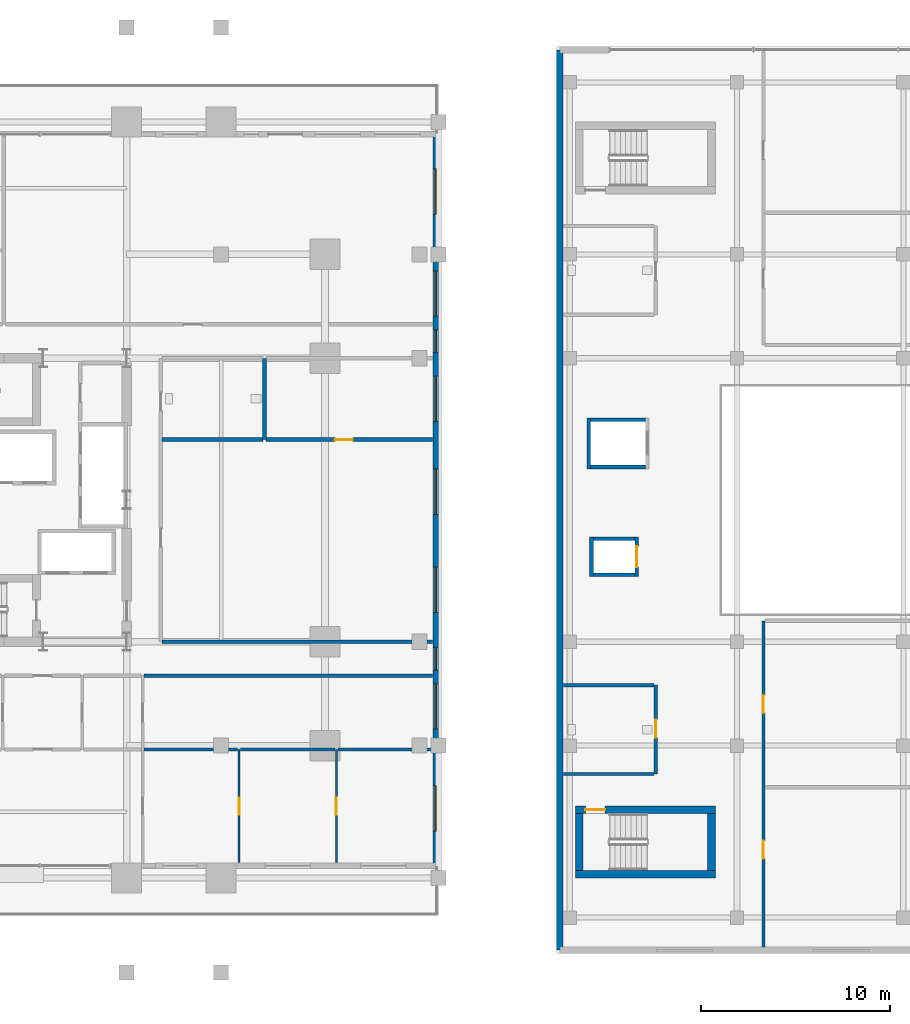
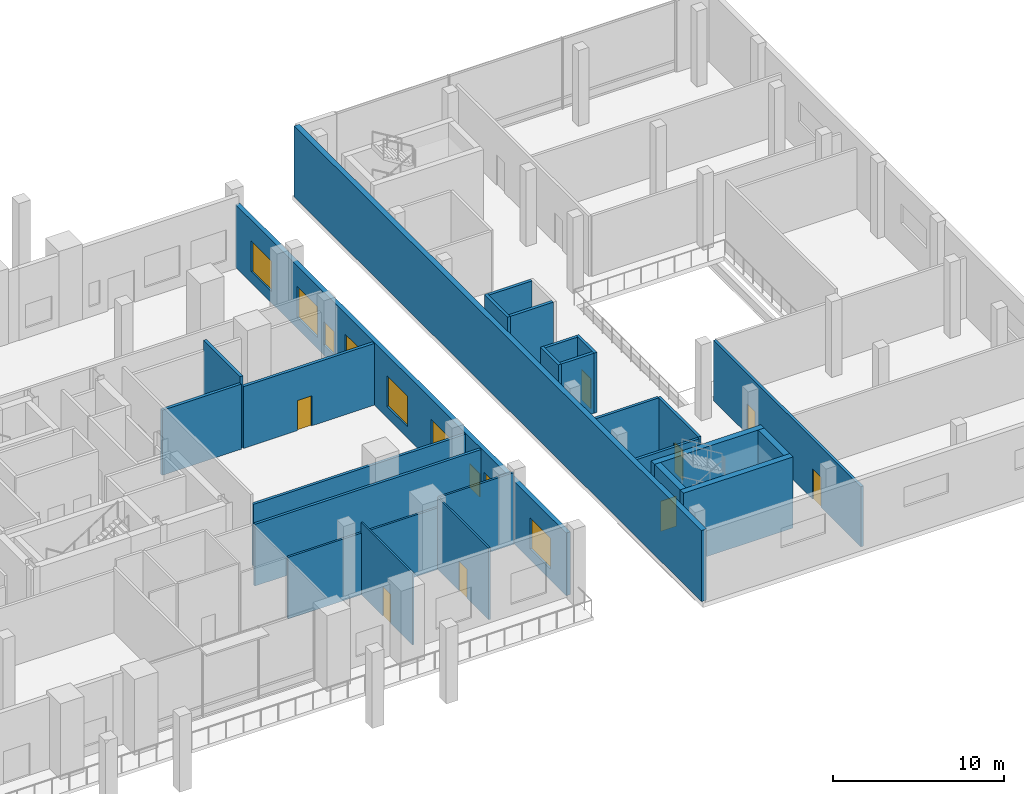
# One storey, part 13 of 22: 27 walls, 9 windows, 8 doors, 17 openings.
"""IFC4 building model written with IfcOpenShell, lengths in metres."""

from ifc_helpers import new_model, si_unit, direction, frame, frame_2d, origin, place, context, subcontext, project, spatial, rectangle, extrude, material, layer, layer_set, type_object, element, fill, save


model = new_model("IFC4")

# Units and contexts
model_context = context("Model", 3, precision=1e-05, world=origin(), true_north=direction((0.0, 1.0)))
body_context = subcontext(model_context, "Body", "Model", "MODEL_VIEW")
ifc_project = project(units=[si_unit("LENGTHUNIT", "METRE"), si_unit("AREAUNIT", "SQUARE_METRE"), si_unit("VOLUMEUNIT", "CUBIC_METRE"), si_unit("PLANEANGLEUNIT", "RADIAN"), si_unit("MASSUNIT", "GRAM", prefix="KILO")], contexts=[model_context])

# Site, building, storey
site_placement = place(None, origin())
site = spatial("IfcSite", under=ifc_project, at=site_placement, CompositionType="ELEMENT")
building_placement = place(site_placement, origin())
building = spatial("IfcBuilding", under=site, at=building_placement, Name="Barlavira Tower and Art Museum", CompositionType="ELEMENT")
storey_placement = place(building_placement, frame((0.0, 0.0, 16.800048828125)))
storey = spatial("IfcBuildingStorey", under=building, at=storey_placement, Name="L03", CompositionType="ELEMENT", Elevation=16.800048828125)

# Wall, opening, door
ifc_material_1 = material(Name="Gypsum acoustic stud partition", Category="gypsum")
ifc_layer_1 = layer(ifc_material_1, 0.1201171875, Name="Gypsum acoustic stud partition")
ifc_layer_set_1 = layer_set([ifc_layer_1], Name="Gypsum acoustic stud partition")
wall_type_1 = type_object("IfcWallType", Name="Apartment Internal Acoustic Partition 120", PredefinedType="PARTITIONING", material=ifc_layer_set_1)
wall_1_placement = place(storey_placement, frame((12.449951171875, -19.195068359375, 0.0), z_axis=(0.0, 0.0, 1.0), x_axis=(0.0, 1.0, 0.0)))
wall_1 = element("IfcWall", 1, at=wall_1_placement, inside=storey, type_object=wall_type_1, Name="L03 Partition Wall 14", PredefinedType="PARTITIONING", context=body_context, shape_type="SweptSolid", body=[
    extrude(rectangle(XDim=5.9951171875, YDim=0.1201171875, at=frame_2d((2.99755859375, 0.0))), origin(), (0.0, 0.0, 1.0), 5.119873046875),
])
opening_1_placement = place(wall_1_placement, frame((2.544921875, 0.0, 0.0)))
opening_1 = element("IfcOpeningElement", 2, at=opening_1_placement, cuts=wall_1, Name="Opening D-01", PredefinedType="OPENING", context=body_context, shape_type="SweptSolid", body=[
    extrude(rectangle(XDim=0.89990234375, YDim=2.10009765625, at=frame_2d((0.449951171875, 1.050048828125))), frame((0.0, 0.070068359375, 0.0), z_axis=(0.0, -1.0, 0.0), x_axis=(1.0, 0.0, 0.0)), (0.0, 0.0, 1.0), 0.14013671875),
])
ifc_material_2 = material(Name="Engineered coastal hardwood", Category="wood")
door_type_1 = type_object("IfcDoorType", Name="Internal Bedroom Timber Flush Door 900x2100", OperationType="NOTDEFINED", PredefinedType="DOOR", material=ifc_material_2)
door_1_placement = place(opening_1_placement, origin())
door_1 = element("IfcDoor", 3, at=door_1_placement, inside=storey, type_object=door_type_1, Name="Apartment P3-SE Bedroom 2 Door", OperationType="SINGLE_SWING_RIGHT", OverallHeight=2.10009765625, OverallWidth=0.89990234375, PredefinedType="DOOR", context=body_context, shape_type="SweptSolid", body=[
    extrude(rectangle(XDim=0.89990234375, YDim=2.10009765625, at=frame_2d((0.449951171875, 1.050048828125))), frame((0.0, 0.02490234375, 0.0), z_axis=(0.0, -1.0, 0.0), x_axis=(1.0, 0.0, 0.0)), (0.0, 0.0, 1.0), 0.050048828125),
])
fill(opening_1, door_1)

wall_2_placement = place(storey_placement, frame((17.60009765625, -19.195068359375, 0.0), z_axis=(0.0, 0.0, 1.0), x_axis=(0.0, 1.0, 0.0)))
wall_2 = element("IfcWall", 4, at=wall_2_placement, inside=storey, type_object=wall_type_1, Name="L03 Partition Wall 16", PredefinedType="PARTITIONING", context=body_context, shape_type="SweptSolid", body=[
    extrude(rectangle(XDim=5.9951171875, YDim=0.1201171875, at=frame_2d((2.99755859375, 0.0))), origin(), (0.0, 0.0, 1.0), 5.119873046875),
])
opening_2_placement = place(wall_2_placement, frame((2.544921875, 0.0, 0.0)))
opening_2 = element("IfcOpeningElement", 5, at=opening_2_placement, cuts=wall_2, Name="Opening D-01", PredefinedType="OPENING", context=body_context, shape_type="SweptSolid", body=[
    extrude(rectangle(XDim=0.89990234375, YDim=2.10009765625, at=frame_2d((0.449951171875, 1.050048828125))), frame((0.0, 0.070068359375, 0.0), z_axis=(0.0, -1.0, 0.0), x_axis=(1.0, 0.0, 0.0)), (0.0, 0.0, 1.0), 0.14013671875),
])
door_2_placement = place(opening_2_placement, origin())
door_2 = element("IfcDoor", 6, at=door_2_placement, inside=storey, type_object=door_type_1, Name="Apartment P3-SE Bedroom 3 Door", OperationType="SINGLE_SWING_LEFT", OverallHeight=2.10009765625, OverallWidth=0.89990234375, PredefinedType="DOOR", context=body_context, shape_type="SweptSolid", body=[
    extrude(rectangle(XDim=0.89990234375, YDim=2.10009765625, at=frame_2d((0.449951171875, 1.050048828125))), frame((0.0, 0.02490234375, 0.0), z_axis=(0.0, -1.0, 0.0), x_axis=(1.0, 0.0, 0.0)), (0.0, 0.0, 1.0), 0.050048828125),
])
fill(opening_2, door_2)

ifc_material_3 = material(Name="Autoclaved aerated concrete masonry", Category="masonry")
ifc_layer_2 = layer(ifc_material_3, 0.199951171875, Name="Autoclaved aerated concrete masonry")
ifc_layer_set_2 = layer_set([ifc_layer_2], Name="Autoclaved aerated concrete masonry")
wall_type_2 = type_object("IfcWallType", Name="Fire Compartment and Shaft Wall 200", PredefinedType="SOLIDWALL", material=ifc_layer_set_2)
wall_3_placement = place(storey_placement, frame((33.5, -4.050048828125, 0.0), z_axis=(0.0, 0.0, 1.0), x_axis=(0.0, 1.0, 0.0)))
wall_3 = element("IfcWall", 7, at=wall_3_placement, inside=storey, type_object=wall_type_2, Name="L03 Museum Lift ML1 Front Wall", PredefinedType="SOLIDWALL", context=body_context, shape_type="SweptSolid", body=[
    extrude(rectangle(XDim=2.10009765625, YDim=0.199951171875, at=frame_2d((1.050048828125, 0.0))), origin(), (0.0, 0.0, 1.0), 4.296875),
])
opening_3_placement = place(wall_3_placement, frame((0.5, 0.0, 0.0)))
opening_3 = element("IfcOpeningElement", 8, at=opening_3_placement, cuts=wall_3, Name="Opening LD-P", PredefinedType="OPENING", context=body_context, shape_type="SweptSolid", body=[
    extrude(rectangle(XDim=1.10009765625, YDim=2.14990234375, at=frame_2d((0.550048828125, 1.074951171875))), frame((0.0, 0.10986328125, 0.0), z_axis=(0.0, -1.0, 0.0), x_axis=(1.0, 0.0, 0.0)), (0.0, 0.0, 1.0), 0.219970703125),
])
ifc_material_4 = material(Name="Brushed stainless steel", Category="steel")
door_type_2 = type_object("IfcDoorType", Name="Passenger Lift Sliding Landing Door 1100x2150 FD60", OperationType="NOTDEFINED", PredefinedType="DOOR", material=ifc_material_4)
door_3_placement = place(opening_3_placement, origin())
door_3 = element("IfcDoor", 9, at=door_3_placement, inside=storey, type_object=door_type_2, Name="L03 Museum Lift ML1 Sliding Landing Door", OperationType="DOUBLE_DOOR_SLIDING", OverallHeight=2.14990234375, OverallWidth=1.10009765625, PredefinedType="DOOR", context=body_context, shape_type="SweptSolid", body=[
    extrude(rectangle(XDim=1.10009765625, YDim=2.14990234375, at=frame_2d((0.550048828125, 1.074951171875))), frame((0.0, 0.02490234375, 0.0), z_axis=(0.0, -1.0, 0.0), x_axis=(1.0, 0.0, 0.0)), (0.0, 0.0, 1.0), 0.050048828125),
])
fill(opening_3, door_3)

# Walls
wall_4_placement = place(storey_placement, frame((31.10009765625, -4.050048828125, 0.0), z_axis=(0.0, 0.0, 1.0), x_axis=(0.0, 1.0, 0.0)))
element("IfcWall", 10, at=wall_4_placement, inside=storey, type_object=wall_type_2, Name="L03 Museum Lift ML1 Back Wall", PredefinedType="SOLIDWALL", context=body_context, shape_type="SweptSolid", body=[
    extrude(rectangle(XDim=2.10009765625, YDim=0.199951171875, at=frame_2d((1.050048828125, 0.0))), origin(), (0.0, 0.0, 1.0), 4.296875),
])
for number, where, z_axis, x_axis, name in (
    (11, (31.199951171875, -3.949951171875, 0.0), (0.0, 0.0, 1.0), (1.0, 0.0, 0.0), "L03 Museum Lift ML1 South Wall"),
    (12, (31.199951171875, -2.050048828125, 0.0), (0.0, 0.0, 1.0), (1.0, 0.0, 0.0), "L03 Museum Lift ML1 North Wall"),
):
    element("IfcWall", number, at=place(storey_placement, frame(where, z_axis=z_axis, x_axis=x_axis)), inside=storey, type_object=wall_type_2, Name=name, PredefinedType="SOLIDWALL", context=body_context, shape_type="SweptSolid", body=[
        extrude(rectangle(XDim=2.199951171875, YDim=0.199951171875, at=frame_2d((1.10009765625, 0.0))), origin(), (0.0, 0.0, 1.0), 4.296875),
    ])
wall_5_placement = place(storey_placement, frame((30.949951171875, 1.64990234375, 0.0), z_axis=(0.0, 0.0, 1.0), x_axis=(0.0, 1.0, 0.0)))
element("IfcWall", 13, at=wall_5_placement, inside=storey, type_object=wall_type_2, Name="L03 Museum Lift MG1 Back Wall", PredefinedType="SOLIDWALL", context=body_context, shape_type="SweptSolid", body=[
    extrude(rectangle(XDim=2.7001953125, YDim=0.199951171875, at=frame_2d((1.35009765625, 0.0))), origin(), (0.0, 0.0, 1.0), 4.296875),
])
for number, where, z_axis, x_axis, name in (
    (14, (31.050048828125, 1.75, 0.0), (0.0, 0.0, 1.0), (1.0, 0.0, 0.0), "L03 Museum Lift MG1 South Wall"),
    (15, (31.050048828125, 4.25, 0.0), (0.0, 0.0, 1.0), (1.0, 0.0, 0.0), "L03 Museum Lift MG1 North Wall"),
):
    element("IfcWall", number, at=place(storey_placement, frame(where, z_axis=z_axis, x_axis=x_axis)), inside=storey, type_object=wall_type_2, Name=name, PredefinedType="SOLIDWALL", context=body_context, shape_type="SweptSolid", body=[
        extrude(rectangle(XDim=2.89990234375, YDim=0.199951171875, at=frame_2d((1.449951171875, 0.0))), origin(), (0.0, 0.0, 1.0), 4.296875),
    ])
wall_6_placement = place(storey_placement, frame((13.800048828125, 3.199951171875, 0.0), z_axis=(0.0, 0.0, 1.0), x_axis=(0.0, 1.0, 0.0)))
element("IfcWall", 16, at=wall_6_placement, inside=storey, type_object=wall_type_2, Name="L03 Partition Wall 15", PredefinedType="SOLIDWALL", context=body_context, shape_type="SweptSolid", body=[
    extrude(rectangle(XDim=4.300048828125, YDim=0.199951171875, at=frame_2d((2.14990234375, 0.0))), origin(), (0.0, 0.0, 1.0), 5.119873046875),
])
wall_7_placement = place(storey_placement, frame((8.3798828125, 3.199951171875, 0.0), z_axis=(0.0, 0.0, 1.0), x_axis=(1.0, 0.0, 0.0)))
element("IfcWall", 17, at=wall_7_placement, inside=storey, type_object=wall_type_2, Name="L03 Partition Wall 40", PredefinedType="SOLIDWALL", context=body_context, shape_type="SweptSolid", body=[
    extrude(rectangle(XDim=5.340087890625, YDim=0.199951171875, at=frame_2d((2.669921875, 0.0))), origin(), (0.0, 0.0, 1.0), 4.641845703125),
])

# Wall, opening, door
wall_8_placement = place(storey_placement, frame((13.8798828125, 3.199951171875, 0.0), z_axis=(0.0, 0.0, 1.0), x_axis=(1.0, 0.0, 0.0)))
wall_8 = element("IfcWall", 18, at=wall_8_placement, inside=storey, type_object=wall_type_2, Name="L03 Partition Wall 41", PredefinedType="SOLIDWALL", context=body_context, shape_type="SweptSolid", body=[
    extrude(rectangle(XDim=8.815185546875, YDim=0.199951171875, at=frame_2d((4.40771484375, 0.0))), origin(), (0.0, 0.0, 1.0), 4.409912109375),
])
opening_4_placement = place(wall_8_placement, frame((3.64501953125, 0.0, 0.0)))
opening_4 = element("IfcOpeningElement", 19, at=opening_4_placement, cuts=wall_8, Name="Opening FD-60", PredefinedType="OPENING", context=body_context, shape_type="SweptSolid", body=[
    extrude(rectangle(XDim=0.949951171875, YDim=2.14990234375, at=frame_2d((0.47509765625, 1.074951171875))), frame((0.0, 0.10986328125, 0.0), z_axis=(0.0, -1.0, 0.0), x_axis=(1.0, 0.0, 0.0)), (0.0, 0.0, 1.0), 0.219970703125),
])
door_type_3 = type_object("IfcDoorType", Name="Apartment Entrance and Riser Fire Door 950x2150 FD60S", OperationType="NOTDEFINED", PredefinedType="DOOR", material=ifc_material_4)
door_4_placement = place(opening_4_placement, origin())
door_4 = element("IfcDoor", 20, at=door_4_placement, inside=storey, type_object=door_type_3, Name="L03 Podium Amenity Store Door", OperationType="SINGLE_SWING_LEFT", OverallHeight=2.14990234375, OverallWidth=0.949951171875, PredefinedType="DOOR", context=body_context, shape_type="SweptSolid", body=[
    extrude(rectangle(XDim=0.949951171875, YDim=2.14990234375, at=frame_2d((0.47509765625, 1.074951171875))), frame((0.0, 0.02490234375, 0.0), z_axis=(0.0, -1.0, 0.0), x_axis=(1.0, 0.0, 0.0)), (0.0, 0.0, 1.0), 0.050048828125),
])
fill(opening_4, door_4)

ifc_layer_3 = layer(ifc_material_1, 0.179931640625, Name="Gypsum acoustic stud partition")
ifc_layer_set_3 = layer_set([ifc_layer_3], Name="Gypsum acoustic stud partition")
wall_type_3 = type_object("IfcWallType", Name="Inter-Tenancy Party Partition Wall 180", PredefinedType="PARTITIONING", material=ifc_layer_set_3)
wall_9_placement = place(storey_placement, frame((34.5, -14.5, 0.0), z_axis=(0.0, 0.0, 1.0), x_axis=(0.0, 1.0, 0.0)))
wall_9 = element("IfcWall", 21, at=wall_9_placement, inside=storey, type_object=wall_type_3, Name="L03 Partition Wall 17", PredefinedType="PARTITIONING", context=body_context, shape_type="SweptSolid", body=[
    extrude(rectangle(XDim=4.699951171875, YDim=0.179931640625, at=frame_2d((2.35009765625, 0.0))), origin(), (0.0, 0.0, 1.0), 4.296875),
])
opening_5_placement = place(wall_9_placement, frame((1.925048828125, 0.0, 0.0)))
opening_5 = element("IfcOpeningElement", 22, at=opening_5_placement, cuts=wall_9, Name="Opening FD-60", PredefinedType="OPENING", context=body_context, shape_type="SweptSolid", body=[
    extrude(rectangle(XDim=0.949951171875, YDim=2.14990234375, at=frame_2d((0.47509765625, 1.074951171875))), frame((0.0, 0.10009765625, 0.0), z_axis=(0.0, -1.0, 0.0), x_axis=(1.0, 0.0, 0.0)), (0.0, 0.0, 1.0), 0.199951171875),
])
door_5_placement = place(opening_5_placement, origin())
door_5 = element("IfcDoor", 23, at=door_5_placement, inside=storey, type_object=door_type_3, Name="L03 Museum Accessible Restroom Door", OperationType="SINGLE_SWING_LEFT", OverallHeight=2.14990234375, OverallWidth=0.949951171875, PredefinedType="DOOR", context=body_context, shape_type="SweptSolid", body=[
    extrude(rectangle(XDim=0.949951171875, YDim=2.14990234375, at=frame_2d((0.47509765625, 1.074951171875))), frame((0.0, 0.02490234375, 0.0), z_axis=(0.0, -1.0, 0.0), x_axis=(1.0, 0.0, 0.0)), (0.0, 0.0, 1.0), 0.050048828125),
])
fill(opening_5, door_5)

# Wall, openings, doors
wall_10_placement = place(storey_placement, frame((40.199951171875, -23.64501953125, 0.0), z_axis=(0.0, 0.0, 1.0), x_axis=(0.0, 1.0, 0.0)))
wall_10 = element("IfcWall", 24, at=wall_10_placement, inside=storey, type_object=wall_type_3, Name="L03 Partition Wall 19", PredefinedType="PARTITIONING", context=body_context, shape_type="SweptSolid", body=[
    extrude(rectangle(XDim=17.2451171875, YDim=0.179931640625, at=frame_2d((8.62255859375, 0.0))), origin(), (0.0, 0.0, 1.0), 4.296875),
])
opening_6_placement = place(wall_10_placement, frame((4.669921875, 0.0, 0.0)))
opening_6 = element("IfcOpeningElement", 25, at=opening_6_placement, cuts=wall_10, Name="Opening FD-60", PredefinedType="OPENING", context=body_context, shape_type="SweptSolid", body=[
    extrude(rectangle(XDim=0.949951171875, YDim=2.14990234375, at=frame_2d((0.47509765625, 1.074951171875))), frame((0.0, 0.10009765625, 0.0), z_axis=(0.0, -1.0, 0.0), x_axis=(1.0, 0.0, 0.0)), (0.0, 0.0, 1.0), 0.199951171875),
])
opening_7_placement = place(wall_10_placement, frame((12.3701171875, 0.0, 0.0)))
opening_7 = element("IfcOpeningElement", 26, at=opening_7_placement, cuts=wall_10, Name="Opening FD-60", PredefinedType="OPENING", context=body_context, shape_type="SweptSolid", body=[
    extrude(rectangle(XDim=0.949951171875, YDim=2.14990234375, at=frame_2d((0.47509765625, 1.074951171875))), frame((0.0, 0.10009765625, 0.0), z_axis=(0.0, -1.0, 0.0), x_axis=(1.0, 0.0, 0.0)), (0.0, 0.0, 1.0), 0.199951171875),
])
door_6_placement = place(opening_6_placement, origin())
door_6 = element("IfcDoor", 27, at=door_6_placement, inside=storey, type_object=door_type_3, Name="L03 Coastal Architecture Lecture Auditorium Door", OperationType="SINGLE_SWING_RIGHT", OverallHeight=2.14990234375, OverallWidth=0.949951171875, PredefinedType="DOOR", context=body_context, shape_type="SweptSolid", body=[
    extrude(rectangle(XDim=0.949951171875, YDim=2.14990234375, at=frame_2d((0.47509765625, 1.074951171875))), frame((0.0, 0.02490234375, 0.0), z_axis=(0.0, -1.0, 0.0), x_axis=(1.0, 0.0, 0.0)), (0.0, 0.0, 1.0), 0.050048828125),
])
fill(opening_6, door_6)
door_7_placement = place(opening_7_placement, origin())
door_7 = element("IfcDoor", 28, at=door_7_placement, inside=storey, type_object=door_type_3, Name="L03 South Sculpture Mezzanine Gallery Door", OperationType="SINGLE_SWING_LEFT", OverallHeight=2.14990234375, OverallWidth=0.949951171875, PredefinedType="DOOR", context=body_context, shape_type="SweptSolid", body=[
    extrude(rectangle(XDim=0.949951171875, YDim=2.14990234375, at=frame_2d((0.47509765625, 1.074951171875))), frame((0.0, 0.02490234375, 0.0), z_axis=(0.0, -1.0, 0.0), x_axis=(1.0, 0.0, 0.0)), (0.0, 0.0, 1.0), 0.050048828125),
])
fill(opening_7, door_7)

# Walls
wall_11_placement = place(storey_placement, frame((29.60498046875, -14.5, 0.0), z_axis=(0.0, 0.0, 1.0), x_axis=(1.0, 0.0, 0.0)))
element("IfcWall", 29, at=wall_11_placement, inside=storey, type_object=wall_type_3, Name="L03 Partition Wall 23", PredefinedType="PARTITIONING", context=body_context, shape_type="SweptSolid", body=[
    extrude(rectangle(XDim=4.81494140625, YDim=0.179931640625, at=frame_2d((2.407470703125, 0.0))), origin(), (0.0, 0.0, 1.0), 4.2138671875),
])
wall_12_placement = place(storey_placement, frame((29.60498046875, -9.800048828125, 0.0), z_axis=(0.0, 0.0, 1.0), x_axis=(1.0, 0.0, 0.0)))
element("IfcWall", 30, at=wall_12_placement, inside=storey, type_object=wall_type_3, Name="L03 Partition Wall 30", PredefinedType="PARTITIONING", context=body_context, shape_type="SweptSolid", body=[
    extrude(rectangle(XDim=4.81494140625, YDim=0.179931640625, at=frame_2d((2.407470703125, 0.0))), origin(), (0.0, 0.0, 1.0), 4.296875),
])
wall_13_placement = place(storey_placement, frame((7.429931640625, -9.300048828125, 0.0), z_axis=(0.0, 0.0, 1.0), x_axis=(1.0, 0.0, 0.0)))
element("IfcWall", 31, at=wall_13_placement, inside=storey, type_object=wall_type_3, Name="L03 Partition Wall 35", PredefinedType="PARTITIONING", context=body_context, shape_type="SweptSolid", body=[
    extrude(rectangle(XDim=15.26513671875, YDim=0.179931640625, at=frame_2d((7.632568359375, 0.0))), origin(), (0.0, 0.0, 1.0), 4.409912109375),
])
wall_14_placement = place(storey_placement, frame((8.3798828125, -7.5, 0.0), z_axis=(0.0, 0.0, 1.0), x_axis=(1.0, 0.0, 0.0)))
element("IfcWall", 32, at=wall_14_placement, inside=storey, type_object=wall_type_3, Name="L03 Partition Wall 37", PredefinedType="PARTITIONING", context=body_context, shape_type="SweptSolid", body=[
    extrude(rectangle(XDim=14.315185546875, YDim=0.179931640625, at=frame_2d((7.15771484375, 0.0))), origin(), (0.0, 0.0, 1.0), 4.409912109375),
])
ifc_layer_4 = layer(ifc_material_1, 0.139892578125, Name="Gypsum acoustic stud partition")
ifc_layer_set_4 = layer_set([ifc_layer_4], Name="Gypsum acoustic stud partition")
wall_type_4 = type_object("IfcWallType", Name="Moisture-Resistant Bathroom Partition 140", PredefinedType="PARTITIONING", material=ifc_layer_set_4)
wall_15_placement = place(storey_placement, frame((7.429931640625, -13.199951171875, 0.0), z_axis=(0.0, 0.0, 1.0), x_axis=(1.0, 0.0, 0.0)))
element("IfcWall", 33, at=wall_15_placement, inside=storey, type_object=wall_type_4, Name="L03 Partition Wall 27", PredefinedType="PARTITIONING", context=body_context, shape_type="SweptSolid", body=[
    extrude(rectangle(XDim=4.940185546875, YDim=0.139892578125, at=frame_2d((2.47021484375, 0.0))), origin(), (0.0, 0.0, 1.0), 4.409912109375),
])
wall_16_placement = place(storey_placement, frame((12.530029296875, -13.199951171875, 0.0), z_axis=(0.0, 0.0, 1.0), x_axis=(1.0, 0.0, 0.0)))
element("IfcWall", 34, at=wall_16_placement, inside=storey, type_object=wall_type_4, Name="L03 Partition Wall 28", PredefinedType="PARTITIONING", context=body_context, shape_type="SweptSolid", body=[
    extrude(rectangle(XDim=4.989990234375, YDim=0.139892578125, at=frame_2d((2.4951171875, 0.0))), origin(), (0.0, 0.0, 1.0), 4.409912109375),
])
wall_17_placement = place(storey_placement, frame((17.679931640625, -13.199951171875, 0.0), z_axis=(0.0, 0.0, 1.0), x_axis=(1.0, 0.0, 0.0)))
element("IfcWall", 35, at=wall_17_placement, inside=storey, type_object=wall_type_4, Name="L03 Partition Wall 29", PredefinedType="PARTITIONING", context=body_context, shape_type="SweptSolid", body=[
    extrude(rectangle(XDim=5.01513671875, YDim=0.139892578125, at=frame_2d((2.507568359375, 0.0))), origin(), (0.0, 0.0, 1.0), 5.119873046875),
])
ifc_material_5 = material(Name="Precast concrete C40", Category="concrete")
ifc_layer_5 = layer(ifc_material_5, 0.35009765625, Name="Precast concrete C40")
ifc_layer_set_5 = layer_set([ifc_layer_5], Name="Precast concrete C40")
wall_type_5 = type_object("IfcWallType", Name="Museum Board-Formed Concrete Facade Wall 350 Concrete C40", PredefinedType="SOLIDWALL", material=ifc_layer_set_5)
wall_18_placement = place(storey_placement, frame((29.425048828125, 23.824951171875, 0.0), z_axis=(0.0, 0.0, 1.0), x_axis=(0.0, -1.0, 0.0)))
element("IfcWall", 36, at=wall_18_placement, inside=storey, type_object=wall_type_5, Name="L03 Museum West Arcade Wall", PredefinedType="SOLIDWALL", context=body_context, shape_type="SweptSolid", body=[
    extrude(rectangle(XDim=47.64990234375, YDim=0.35009765625, at=frame_2d((23.824951171875, 0.0))), origin(), (0.0, 0.0, 1.0), 5.079833984375),
])

# Wall, openings, windows
ifc_layer_6 = layer(ifc_material_5, 0.300048828125, Name="Precast concrete C40")
ifc_layer_set_6 = layer_set([ifc_layer_6], Name="Precast concrete C40")
wall_type_6 = type_object("IfcWallType", Name="Podium Architectural Precast Facade Wall 300 Concrete C40", PredefinedType="SOLIDWALL", material=ifc_layer_set_6)
wall_19_placement = place(storey_placement, frame((22.85009765625, -19.35009765625, 0.0), z_axis=(0.0, 0.0, 1.0), x_axis=(0.0, 1.0, 0.0)))
wall_19 = element("IfcWall", 37, at=wall_19_placement, inside=storey, type_object=wall_type_6, Name="L03 Podium East Facade Wall", PredefinedType="SOLIDWALL", context=body_context, shape_type="SweptSolid", body=[
    extrude(rectangle(XDim=38.7001953125, YDim=0.300048828125, at=frame_2d((19.35009765625, 0.0))), origin(), (0.0, 0.0, 1.0), 4.475830078125),
])
opening_8_placement = place(wall_19_placement, frame((1.830078125, 0.0, 0.800048828125)))
opening_8 = element("IfcOpeningElement", 38, at=opening_8_placement, cuts=wall_19, Name="Opening WN-02", PredefinedType="OPENING", context=body_context, shape_type="SweptSolid", body=[
    extrude(rectangle(XDim=2.39990234375, YDim=2.199951171875, at=frame_2d((1.199951171875, 1.10009765625))), frame((0.0, 0.16015625, 0.0), z_axis=(0.0, -1.0, 0.0), x_axis=(1.0, 0.0, 0.0)), (0.0, 0.0, 1.0), 0.320068359375),
])
opening_9_placement = place(wall_19_placement, frame((7.219970703125, 0.0, 0.800048828125)))
opening_9 = element("IfcOpeningElement", 39, at=opening_9_placement, cuts=wall_19, Name="Opening WN-02", PredefinedType="OPENING", context=body_context, shape_type="SweptSolid", body=[
    extrude(rectangle(XDim=2.39990234375, YDim=2.199951171875, at=frame_2d((1.199951171875, 1.10009765625))), frame((0.0, 0.16015625, 0.0), z_axis=(0.0, -1.0, 0.0), x_axis=(1.0, 0.0, 0.0)), (0.0, 0.0, 1.0), 0.320068359375),
])
opening_10_placement = place(wall_19_placement, frame((10.35009765625, 0.0, 0.719970703125)))
opening_10 = element("IfcOpeningElement", 40, at=opening_10_placement, cuts=wall_19, Name="Opening WN-05", PredefinedType="OPENING", context=body_context, shape_type="SweptSolid", body=[
    extrude(rectangle(XDim=1.199951171875, YDim=1.679931640625, at=frame_2d((0.60009765625, 0.83984375))), frame((0.0, 0.16015625, 0.0), z_axis=(0.0, -1.0, 0.0), x_axis=(1.0, 0.0, 0.0)), (0.0, 0.0, 1.0), 0.320068359375),
])
opening_11_placement = place(wall_19_placement, frame((13.405029296875, 0.0, 0.800048828125)))
opening_11 = element("IfcOpeningElement", 41, at=opening_11_placement, cuts=wall_19, Name="Opening WN-02", PredefinedType="OPENING", context=body_context, shape_type="SweptSolid", body=[
    extrude(rectangle(XDim=2.39990234375, YDim=2.199951171875, at=frame_2d((1.199951171875, 1.10009765625))), frame((0.0, 0.16015625, 0.0), z_axis=(0.0, -1.0, 0.0), x_axis=(1.0, 0.0, 0.0)), (0.0, 0.0, 1.0), 0.320068359375),
])
opening_12_placement = place(wall_19_placement, frame((18.594970703125, 0.0, 0.800048828125)))
opening_12 = element("IfcOpeningElement", 42, at=opening_12_placement, cuts=wall_19, Name="Opening WN-02", PredefinedType="OPENING", context=body_context, shape_type="SweptSolid", body=[
    extrude(rectangle(XDim=2.39990234375, YDim=2.199951171875, at=frame_2d((1.199951171875, 1.10009765625))), frame((0.0, 0.16015625, 0.0), z_axis=(0.0, -1.0, 0.0), x_axis=(1.0, 0.0, 0.0)), (0.0, 0.0, 1.0), 0.320068359375),
])
opening_13_placement = place(wall_19_placement, frame((23.5, 0.0, 0.800048828125)))
opening_13 = element("IfcOpeningElement", 43, at=opening_13_placement, cuts=wall_19, Name="Opening WN-02", PredefinedType="OPENING", context=body_context, shape_type="SweptSolid", body=[
    extrude(rectangle(XDim=2.39990234375, YDim=2.199951171875, at=frame_2d((1.199951171875, 1.10009765625))), frame((0.0, 0.16015625, 0.0), z_axis=(0.0, -1.0, 0.0), x_axis=(1.0, 0.0, 0.0)), (0.0, 0.0, 1.0), 0.320068359375),
])
opening_14_placement = place(wall_19_placement, frame((27.14990234375, 0.0, 0.719970703125)))
opening_14 = element("IfcOpeningElement", 44, at=opening_14_placement, cuts=wall_19, Name="Opening WN-05", PredefinedType="OPENING", context=body_context, shape_type="SweptSolid", body=[
    extrude(rectangle(XDim=1.199951171875, YDim=1.679931640625, at=frame_2d((0.60009765625, 0.83984375))), frame((0.0, 0.16015625, 0.0), z_axis=(0.0, -1.0, 0.0), x_axis=(1.0, 0.0, 0.0)), (0.0, 0.0, 1.0), 0.320068359375),
])
opening_15_placement = place(wall_19_placement, frame((29.080078125, 0.0, 0.800048828125)))
opening_15 = element("IfcOpeningElement", 45, at=opening_15_placement, cuts=wall_19, Name="Opening WN-02", PredefinedType="OPENING", context=body_context, shape_type="SweptSolid", body=[
    extrude(rectangle(XDim=2.39990234375, YDim=2.199951171875, at=frame_2d((1.199951171875, 1.10009765625))), frame((0.0, 0.16015625, 0.0), z_axis=(0.0, -1.0, 0.0), x_axis=(1.0, 0.0, 0.0)), (0.0, 0.0, 1.0), 0.320068359375),
])
opening_16_placement = place(wall_19_placement, frame((34.469970703125, 0.0, 0.800048828125)))
opening_16 = element("IfcOpeningElement", 46, at=opening_16_placement, cuts=wall_19, Name="Opening WN-02", PredefinedType="OPENING", context=body_context, shape_type="SweptSolid", body=[
    extrude(rectangle(XDim=2.39990234375, YDim=2.199951171875, at=frame_2d((1.199951171875, 1.10009765625))), frame((0.0, 0.16015625, 0.0), z_axis=(0.0, -1.0, 0.0), x_axis=(1.0, 0.0, 0.0)), (0.0, 0.0, 1.0), 0.320068359375),
])
ifc_material_6 = material(Name="Low-iron coastal laminated glass", Category="glass")
window_type_1 = type_object("IfcWindowType", Name="Podium Garden Gallery Window 2400x2200", PartitioningType="SINGLE_PANEL", PredefinedType="WINDOW", material=ifc_material_6)
window_1_placement = place(opening_8_placement, origin())
window_1 = element("IfcWindow", 47, at=window_1_placement, inside=storey, type_object=window_type_1, Name="L03 Punched Facade Window EW-L03-E-1", OverallHeight=2.199951171875, OverallWidth=2.39990234375, PartitioningType="SINGLE_PANEL", PredefinedType="WINDOW", context=body_context, shape_type="SweptSolid", body=[
    extrude(rectangle(XDim=2.39990234375, YDim=2.199951171875, at=frame_2d((1.199951171875, 1.10009765625))), frame((0.0, 0.030029296875, 0.0), z_axis=(0.0, -1.0, 0.0), x_axis=(1.0, 0.0, 0.0)), (0.0, 0.0, 1.0), 0.06005859375),
])
fill(opening_8, window_1)
window_2_placement = place(opening_9_placement, origin())
window_2 = element("IfcWindow", 48, at=window_2_placement, inside=storey, type_object=window_type_1, Name="L03 Punched Facade Window EW-L03-E-2", OverallHeight=2.199951171875, OverallWidth=2.39990234375, PartitioningType="SINGLE_PANEL", PredefinedType="WINDOW", context=body_context, shape_type="SweptSolid", body=[
    extrude(rectangle(XDim=2.39990234375, YDim=2.199951171875, at=frame_2d((1.199951171875, 1.10009765625))), frame((0.0, 0.030029296875, 0.0), z_axis=(0.0, -1.0, 0.0), x_axis=(1.0, 0.0, 0.0)), (0.0, 0.0, 1.0), 0.06005859375),
])
fill(opening_9, window_2)
window_3_placement = place(opening_11_placement, origin())
window_3 = element("IfcWindow", 49, at=window_3_placement, inside=storey, type_object=window_type_1, Name="L03 Punched Facade Window EW-L03-E-4", OverallHeight=2.199951171875, OverallWidth=2.39990234375, PartitioningType="SINGLE_PANEL", PredefinedType="WINDOW", context=body_context, shape_type="SweptSolid", body=[
    extrude(rectangle(XDim=2.39990234375, YDim=2.199951171875, at=frame_2d((1.199951171875, 1.10009765625))), frame((0.0, 0.030029296875, 0.0), z_axis=(0.0, -1.0, 0.0), x_axis=(1.0, 0.0, 0.0)), (0.0, 0.0, 1.0), 0.06005859375),
])
fill(opening_11, window_3)
window_4_placement = place(opening_12_placement, origin())
window_4 = element("IfcWindow", 50, at=window_4_placement, inside=storey, type_object=window_type_1, Name="L03 Punched Facade Window EW-L03-E-5", OverallHeight=2.199951171875, OverallWidth=2.39990234375, PartitioningType="SINGLE_PANEL", PredefinedType="WINDOW", context=body_context, shape_type="SweptSolid", body=[
    extrude(rectangle(XDim=2.39990234375, YDim=2.199951171875, at=frame_2d((1.199951171875, 1.10009765625))), frame((0.0, 0.030029296875, 0.0), z_axis=(0.0, -1.0, 0.0), x_axis=(1.0, 0.0, 0.0)), (0.0, 0.0, 1.0), 0.06005859375),
])
fill(opening_12, window_4)
window_5_placement = place(opening_13_placement, origin())
window_5 = element("IfcWindow", 51, at=window_5_placement, inside=storey, type_object=window_type_1, Name="L03 Punched Facade Window EW-L03-E-6", OverallHeight=2.199951171875, OverallWidth=2.39990234375, PartitioningType="SINGLE_PANEL", PredefinedType="WINDOW", context=body_context, shape_type="SweptSolid", body=[
    extrude(rectangle(XDim=2.39990234375, YDim=2.199951171875, at=frame_2d((1.199951171875, 1.10009765625))), frame((0.0, 0.030029296875, 0.0), z_axis=(0.0, -1.0, 0.0), x_axis=(1.0, 0.0, 0.0)), (0.0, 0.0, 1.0), 0.06005859375),
])
fill(opening_13, window_5)
window_6_placement = place(opening_15_placement, origin())
window_6 = element("IfcWindow", 52, at=window_6_placement, inside=storey, type_object=window_type_1, Name="L03 Punched Facade Window EW-L03-E-8", OverallHeight=2.199951171875, OverallWidth=2.39990234375, PartitioningType="SINGLE_PANEL", PredefinedType="WINDOW", context=body_context, shape_type="SweptSolid", body=[
    extrude(rectangle(XDim=2.39990234375, YDim=2.199951171875, at=frame_2d((1.199951171875, 1.10009765625))), frame((0.0, 0.030029296875, 0.0), z_axis=(0.0, -1.0, 0.0), x_axis=(1.0, 0.0, 0.0)), (0.0, 0.0, 1.0), 0.06005859375),
])
fill(opening_15, window_6)
window_7_placement = place(opening_16_placement, origin())
window_7 = element("IfcWindow", 53, at=window_7_placement, inside=storey, type_object=window_type_1, Name="L03 Punched Facade Window EW-L03-E-9", OverallHeight=2.199951171875, OverallWidth=2.39990234375, PartitioningType="SINGLE_PANEL", PredefinedType="WINDOW", context=body_context, shape_type="SweptSolid", body=[
    extrude(rectangle(XDim=2.39990234375, YDim=2.199951171875, at=frame_2d((1.199951171875, 1.10009765625))), frame((0.0, 0.030029296875, 0.0), z_axis=(0.0, -1.0, 0.0), x_axis=(1.0, 0.0, 0.0)), (0.0, 0.0, 1.0), 0.06005859375),
])
fill(opening_16, window_7)
window_type_2 = type_object("IfcWindowType", Name="Recessed Flank Pier Punch Window 1200x1680", PartitioningType="SINGLE_PANEL", PredefinedType="WINDOW", material=ifc_material_6)
window_8_placement = place(opening_10_placement, origin())
window_8 = element("IfcWindow", 54, at=window_8_placement, inside=storey, type_object=window_type_2, Name="L03 Punched Facade Window EW-L03-E-3", OverallHeight=1.679931640625, OverallWidth=1.199951171875, PartitioningType="SINGLE_PANEL", PredefinedType="WINDOW", context=body_context, shape_type="SweptSolid", body=[
    extrude(rectangle(XDim=1.199951171875, YDim=1.679931640625, at=frame_2d((0.60009765625, 0.83984375))), frame((0.0, 0.030029296875, 0.0), z_axis=(0.0, -1.0, 0.0), x_axis=(1.0, 0.0, 0.0)), (0.0, 0.0, 1.0), 0.06005859375),
])
fill(opening_10, window_8)
window_9_placement = place(opening_14_placement, origin())
window_9 = element("IfcWindow", 55, at=window_9_placement, inside=storey, type_object=window_type_2, Name="L03 Punched Facade Window EW-L03-E-7", OverallHeight=1.679931640625, OverallWidth=1.199951171875, PartitioningType="SINGLE_PANEL", PredefinedType="WINDOW", context=body_context, shape_type="SweptSolid", body=[
    extrude(rectangle(XDim=1.199951171875, YDim=1.679931640625, at=frame_2d((0.60009765625, 0.83984375))), frame((0.0, 0.030029296875, 0.0), z_axis=(0.0, -1.0, 0.0), x_axis=(1.0, 0.0, 0.0)), (0.0, 0.0, 1.0), 0.06005859375),
])
fill(opening_14, window_9)

# Walls
ifc_material_7 = material(Name="Concrete C55", Category="concrete")
ifc_layer_7 = layer(ifc_material_7, 0.39990234375, Name="Concrete C55")
ifc_layer_set_7 = layer_set([ifc_layer_7], Name="Concrete C55")
wall_type_7 = type_object("IfcWallType", Name="Upper Core Shear Wall 400 Concrete C55", PredefinedType="SHEAR", material=ifc_layer_set_7)
wall_20_placement = place(storey_placement, frame((37.64990234375, -19.800048828125, 0.0), z_axis=(0.0, 0.0, 1.0), x_axis=(-1.0, 0.0, 0.0)))
element("IfcWall", 56, at=wall_20_placement, inside=storey, type_object=wall_type_7, Name="L03 ST-M1 South Shaft Wall", PredefinedType="SHEAR", context=body_context, shape_type="SweptSolid", body=[
    extrude(rectangle(XDim=7.39990234375, YDim=0.39990234375, at=frame_2d((3.699951171875, 0.0))), origin(), (0.0, 0.0, 1.0), 5.079833984375),
])
for number, where, z_axis, x_axis, name in (
    (57, (37.449951171875, -19.60009765625, 0.0), (0.0, 0.0, 1.0), (0.0, 1.0, 0.0), "L03 ST-M1 East Half-Landing Wall"),
    (58, (30.449951171875, -19.60009765625, 0.0), (0.0, 0.0, 1.0), (0.0, 1.0, 0.0), "L03 ST-M1 West Shaft Wall"),
):
    element("IfcWall", number, at=place(storey_placement, frame(where, z_axis=z_axis, x_axis=x_axis)), inside=storey, type_object=wall_type_7, Name=name, PredefinedType="SHEAR", context=body_context, shape_type="SweptSolid", body=[
        extrude(rectangle(XDim=3.0, YDim=0.39990234375, at=frame_2d((1.5, 0.0))), origin(), (0.0, 0.0, 1.0), 5.079833984375),
    ])

# Wall, opening, door
wall_21_placement = place(storey_placement, frame((30.25, -16.39990234375, 0.0), z_axis=(0.0, 0.0, 1.0), x_axis=(1.0, 0.0, 0.0)))
wall_21 = element("IfcWall", 59, at=wall_21_placement, inside=storey, type_object=wall_type_7, Name="L03 ST-M1 North Landing Wall", PredefinedType="SHEAR", context=body_context, shape_type="SweptSolid", body=[
    extrude(rectangle(XDim=7.39990234375, YDim=0.39990234375, at=frame_2d((3.699951171875, 0.0))), origin(), (0.0, 0.0, 1.0), 5.079833984375),
])
opening_17_placement = place(wall_21_placement, frame((0.52001953125, 0.0, 0.0)))
opening_17 = element("IfcOpeningElement", 60, at=opening_17_placement, cuts=wall_21, Name="Opening FD-90", PredefinedType="OPENING", context=body_context, shape_type="SweptSolid", body=[
    extrude(rectangle(XDim=1.050048828125, YDim=2.14990234375, at=frame_2d((0.52490234375, 1.074951171875))), frame((0.0, 0.2099609375, 0.0), z_axis=(0.0, -1.0, 0.0), x_axis=(1.0, 0.0, 0.0)), (0.0, 0.0, 1.0), 0.419921875),
])
door_type_4 = type_object("IfcDoorType", Name="Stair and Refuge Fire Door 1050x2150 FD90S", OperationType="NOTDEFINED", PredefinedType="DOOR", material=ifc_material_4)
door_8_placement = place(opening_17_placement, origin())
door_8 = element("IfcDoor", 61, at=door_8_placement, inside=storey, type_object=door_type_4, Name="L03 Museum South Stair ST-M1 Fire Door", OperationType="SINGLE_SWING_LEFT", OverallHeight=2.14990234375, OverallWidth=1.050048828125, PredefinedType="DOOR", context=body_context, shape_type="SweptSolid", body=[
    extrude(rectangle(XDim=1.050048828125, YDim=2.14990234375, at=frame_2d((0.52490234375, 1.074951171875))), frame((0.0, 0.02490234375, 0.0), z_axis=(0.0, -1.0, 0.0), x_axis=(1.0, 0.0, 0.0)), (0.0, 0.0, 1.0), 0.050048828125),
])
fill(opening_17, door_8)

save(model, "model.ifc")
